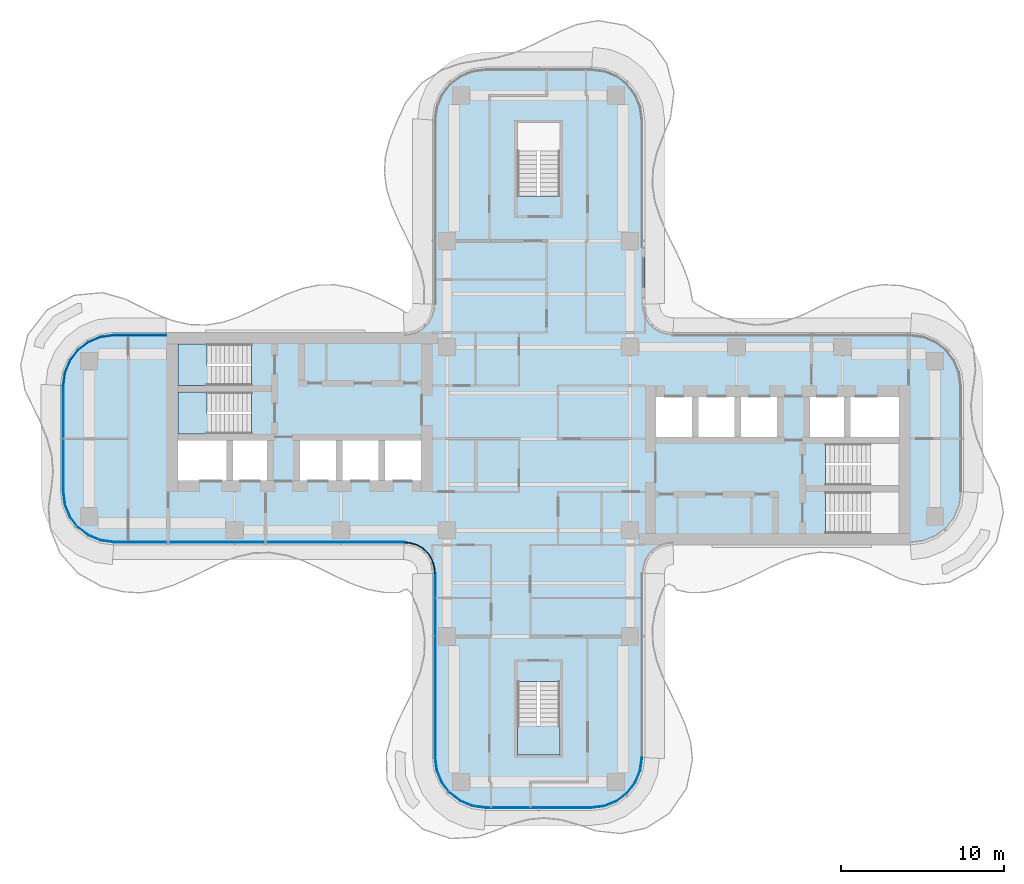
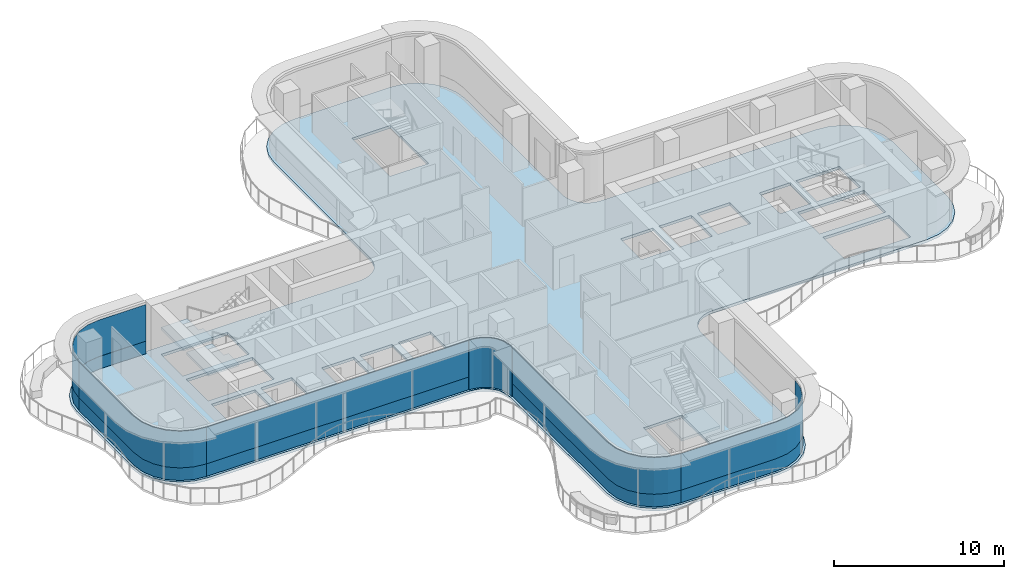
# One storey, part 8 of 16: 11 plates, 4 slabs, 9 elements without a shape of their own.
"""IFC4 building model written with IfcOpenShell, lengths in metres."""

from ifc_helpers import new_model, si_unit, direction, frame, origin, place, context, subcontext, project, spatial, polyline, outline, extrude, source, transform, mapped, material, layer, layer_set, type_object, element, aggregate, save


model = new_model("IFC4")

# Units and contexts
model_context = context("Model", 3, precision=1e-05, world=origin(), true_north=direction((0.0, 1.0)))
body_context = subcontext(model_context, "Body", "Model", "MODEL_VIEW")
ifc_project = project(units=[si_unit("LENGTHUNIT", "METRE"), si_unit("AREAUNIT", "SQUARE_METRE"), si_unit("VOLUMEUNIT", "CUBIC_METRE"), si_unit("PLANEANGLEUNIT", "RADIAN"), si_unit("MASSUNIT", "GRAM", prefix="KILO")], contexts=[model_context])

# Site, building, storey
site_placement = place(None, origin())
site = spatial("IfcSite", under=ifc_project, at=site_placement, CompositionType="ELEMENT")
building_placement = place(site_placement, origin())
building = spatial("IfcBuilding", under=site, at=building_placement, Name="Trellis Farm Tower", CompositionType="ELEMENT")
storey_placement = place(building_placement, frame((0.0, 0.0, 263.60009765625)))
storey = spatial("IfcBuildingStorey", under=building, at=storey_placement, Name="L59", CompositionType="ELEMENT", Elevation=263.60009765625)

# Slab
ifc_material_1 = material(Name="Concrete C40/50", Category="concrete")
ifc_layer_1 = layer(ifc_material_1, 0.199951171875)
ifc_layer_set_1 = layer_set([ifc_layer_1], Name="Composite deck floor slab 200")
slab_type_1 = type_object("IfcSlabType", Name="Composite deck floor slab 200", PredefinedType="FLOOR", material=ifc_layer_set_1)
shared_shape_1 = source(origin(), body_context, "Body", "SweptSolid", [
    extrude(outline(polyline([(-26.84130859375, -6.389404296875), (-27.625, -6.064697265625), (-28.298095703125, -5.548095703125), (-28.814697265625, -4.875), (-29.139404296875, -4.09130859375), (-29.25, -3.25), (-29.25, 3.25), (-29.139404296875, 4.09130859375), (-28.814697265625, 4.875), (-28.298095703125, 5.548095703125), (-27.625, 6.064697265625), (-26.84130859375, 6.389404296875), (-26.0, 6.5), (-8.2314453125, 6.5), (-8.01953125, 6.513916015625), (-7.91552734375, 6.527587890625), (-7.508544921875, 6.63671875), (-7.144287109375, 6.846923828125), (-6.846923828125, 7.144287109375), (-6.63671875, 7.508544921875), (-6.527587890625, 7.91552734375), (-6.513916015625, 8.01953125), (-6.5, 8.2314453125), (-6.5, 19.5), (-6.389404296875, 20.34130859375), (-6.064697265625, 21.125), (-5.548095703125, 21.798095703125), (-4.875, 22.314697265625), (-4.09130859375, 22.639404296875), (-3.25, 22.75), (3.25, 22.75), (4.09130859375, 22.639404296875), (4.875, 22.314697265625), (5.548095703125, 21.798095703125), (6.064697265625, 21.125), (6.389404296875, 20.34130859375), (6.5, 19.5), (6.5, 8.2314453125), (6.513916015625, 8.01953125), (6.527587890625, 7.91552734375), (6.63671875, 7.508544921875), (6.846923828125, 7.144287109375), (7.144287109375, 6.846923828125), (7.508544921875, 6.63671875), (7.91552734375, 6.527587890625), (8.01953125, 6.513916015625), (8.2314453125, 6.5), (22.75, 6.5), (23.59130859375, 6.389404296875), (24.375, 6.064697265625), (25.048095703125, 5.548095703125), (25.564697265625, 4.875), (25.889404296875, 4.09130859375), (26.0, 3.25), (26.0, -3.25), (25.889404296875, -4.09130859375), (25.564697265625, -4.875), (25.048095703125, -5.548095703125), (24.375, -6.064697265625), (23.59130859375, -6.389404296875), (22.75, -6.5), (8.2314453125, -6.5), (8.01953125, -6.513916015625), (7.91552734375, -6.527587890625), (7.508544921875, -6.63671875), (7.144287109375, -6.846923828125), (6.846923828125, -7.144287109375), (6.63671875, -7.508544921875), (6.527587890625, -7.91552734375), (6.513916015625, -8.01953125), (6.5, -8.2314453125), (6.5, -19.5), (6.389404296875, -20.34130859375), (6.064697265625, -21.125), (5.548095703125, -21.798095703125), (4.875, -22.314697265625), (4.09130859375, -22.639404296875), (3.25, -22.75), (-3.25, -22.75), (-4.09130859375, -22.639404296875), (-4.875, -22.314697265625), (-5.548095703125, -21.798095703125), (-6.064697265625, -21.125), (-6.389404296875, -20.34130859375), (-6.5, -19.5), (-6.5, -8.2314453125), (-6.513916015625, -8.01953125), (-6.527587890625, -7.91552734375), (-6.63671875, -7.508544921875), (-6.846923828125, -7.144287109375), (-7.144287109375, -6.846923828125), (-7.508544921875, -6.63671875), (-7.91552734375, -6.527587890625), (-8.01953125, -6.513916015625), (-8.2314453125, -6.5), (-26.0, -6.5), (-26.84130859375, -6.389404296875)]), holes=[polyline([(-22.050048828125, -0.10009765625), (-22.050048828125, -2.550048828125), (-19.10009765625, -2.550048828125), (-19.10009765625, -0.10009765625), (-22.050048828125, -0.10009765625)]), polyline([(-18.699951171875, -0.10009765625), (-18.699951171875, -2.550048828125), (-16.60009765625, -2.550048828125), (-16.60009765625, -0.10009765625), (-18.699951171875, -0.10009765625)]), polyline([(-14.60009765625, -0.10009765625), (-14.60009765625, -2.550048828125), (-12.39990234375, -2.550048828125), (-12.39990234375, -0.10009765625), (-14.60009765625, -0.10009765625)]), polyline([(-12.0, -0.10009765625), (-12.0, -2.550048828125), (-9.800048828125, -2.550048828125), (-9.800048828125, -0.10009765625), (-12.0, -0.10009765625)]), polyline([(-9.39990234375, -0.10009765625), (-9.39990234375, -2.550048828125), (-7.199951171875, -2.550048828125), (-7.199951171875, -0.10009765625), (-9.39990234375, -0.10009765625)]), polyline([(-17.56201171875, 1.64990234375), (-17.56201171875, 2.85009765625), (-22.050048828125, 2.85009765625), (-22.050048828125, 0.300048828125), (-17.56005859375, 0.300048828125), (-17.56005859375, 1.5), (-17.550048828125, 1.5), (-17.550048828125, 1.64990234375), (-17.56201171875, 1.64990234375)]), polyline([(-17.56201171875, 4.60009765625), (-17.56201171875, 5.800048828125), (-22.050048828125, 5.800048828125), (-22.050048828125, 3.25), (-17.56005859375, 3.25), (-17.56005859375, 4.449951171875), (-17.550048828125, 4.449951171875), (-17.550048828125, 4.60009765625), (-17.56201171875, 4.60009765625)]), polyline([(0.10009765625, 14.862060546875), (1.300048828125, 14.862060546875), (1.300048828125, 19.35009765625), (-1.300048828125, 19.35009765625), (-1.300048828125, 14.860107421875), (-0.10009765625, 14.860107421875), (-0.10009765625, 14.85009765625), (0.10009765625, 14.85009765625), (0.10009765625, 14.862060546875)]), polyline([(-0.10009765625, -14.862060546875), (-1.300048828125, -14.862060546875), (-1.300048828125, -19.35009765625), (1.300048828125, -19.35009765625), (1.300048828125, -14.860107421875), (0.10009765625, -14.860107421875), (0.10009765625, -14.85009765625), (-0.10009765625, -14.85009765625), (-0.10009765625, -14.862060546875)]), polyline([(17.56201171875, -4.60009765625), (17.56201171875, -5.800048828125), (22.050048828125, -5.800048828125), (22.050048828125, -3.25), (17.56005859375, -3.25), (17.56005859375, -4.449951171875), (17.550048828125, -4.449951171875), (17.550048828125, -4.60009765625), (17.56201171875, -4.60009765625)]), polyline([(17.56201171875, -1.64990234375), (17.56201171875, -2.85009765625), (22.050048828125, -2.85009765625), (22.050048828125, -0.300048828125), (17.56005859375, -0.300048828125), (17.56005859375, -1.5), (17.550048828125, -1.5), (17.550048828125, -1.64990234375), (17.56201171875, -1.64990234375)]), polyline([(9.39990234375, 0.10009765625), (9.39990234375, 2.550048828125), (7.199951171875, 2.550048828125), (7.199951171875, 0.10009765625), (9.39990234375, 0.10009765625)]), polyline([(12.0, 0.10009765625), (12.0, 2.550048828125), (9.800048828125, 2.550048828125), (9.800048828125, 0.10009765625), (12.0, 0.10009765625)]), polyline([(14.60009765625, 0.10009765625), (14.60009765625, 2.550048828125), (12.39990234375, 2.550048828125), (12.39990234375, 0.10009765625), (14.60009765625, 0.10009765625)]), polyline([(18.699951171875, 0.10009765625), (18.699951171875, 2.550048828125), (16.60009765625, 2.550048828125), (16.60009765625, 0.10009765625), (18.699951171875, 0.10009765625)]), polyline([(22.050048828125, 0.10009765625), (22.050048828125, 2.550048828125), (19.10009765625, 2.550048828125), (19.10009765625, 0.10009765625), (22.050048828125, 0.10009765625)])]), origin(), (0.0, 0.0, 1.0), 0.2001953125),
])
slab_1_placement = place(storey_placement, frame((0.0, 0.0, -0.2001953125)))
element("IfcSlab", 1, at=slab_1_placement, inside=storey, type_object=slab_type_1, Name="Floor slab", PredefinedType="FLOOR", context=body_context, shape_type="MappedRepresentation", body=[
    mapped(shared_shape_1, transform((0.0, 0.0, 0.0))),
])

# Stair, slab
ifc_material_2 = material(Name="Concrete C50/60", Category="concrete")
stair_type = type_object("IfcStairType", Name="CORE EXIT STAIR 22 RISERS 177 MM", PredefinedType="HALF_TURN_STAIR", material=ifc_material_2)
placement_1 = place(storey_placement, origin())
stair_1 = element("IfcStair", 2, at=placement_1, inside=storey, type_object=stair_type, Name="Exit stair S", PredefinedType="HALF_TURN_STAIR")
ifc_layer_2 = layer(ifc_material_2, 0.18994140625)
ifc_layer_set_2 = layer_set([ifc_layer_2], Name="CORE STAIR LANDING 190 CONCRETE C50/60")
slab_type_2 = type_object("IfcSlabType", Name="CORE STAIR LANDING 190 CONCRETE C50/60", PredefinedType="LANDING", material=ifc_layer_set_2)
shared_shape_2 = source(origin(), body_context, "Body", "SweptSolid", [
    extrude(outline(polyline([(1.300048828125, -19.35009765625), (-1.300048828125, -19.35009765625), (-1.300048828125, -17.60009765625), (-1.300048828125, -17.590087890625), (-0.10009765625, -17.590087890625), (-0.10009765625, -17.60009765625), (0.10009765625, -17.60009765625), (0.10009765625, -17.27197265625), (1.300048828125, -17.27197265625), (1.300048828125, -17.60009765625), (1.300048828125, -19.35009765625)])), origin(), (0.0, 0.0, 1.0), 0.18994140625),
])
placement_2 = place(storey_placement, frame((0.0, 0.0, 1.760009765625)))
slab_2 = element("IfcSlab", 3, at=placement_2, type_object=slab_type_2, Name="STS landing 1", PredefinedType="LANDING", context=body_context, shape_type="MappedRepresentation", body=[
    mapped(shared_shape_2, transform((0.0, 0.0, 0.0))),
])
aggregate(stair_1, [slab_2])

stair_2 = element("IfcStair", 4, at=placement_1, inside=storey, type_object=stair_type, Name="Exit stair W1", PredefinedType="HALF_TURN_STAIR")
shared_shape_3 = source(origin(), body_context, "Body", "SweptSolid", [
    extrude(outline(polyline([(-19.971923828125, 4.449951171875), (-19.971923828125, 3.25), (-20.300048828125, 3.25), (-22.050048828125, 3.25), (-22.050048828125, 5.800048828125), (-20.300048828125, 5.800048828125), (-20.2900390625, 5.800048828125), (-20.2900390625, 4.60009765625), (-20.300048828125, 4.60009765625), (-20.300048828125, 4.449951171875), (-19.971923828125, 4.449951171875)])), origin(), (0.0, 0.0, 1.0), 0.18994140625),
])
slab_3 = element("IfcSlab", 5, at=placement_2, type_object=slab_type_2, Name="STW1 landing 1", PredefinedType="LANDING", context=body_context, shape_type="MappedRepresentation", body=[
    mapped(shared_shape_3, transform((0.0, 0.0, 0.0))),
])
aggregate(stair_2, [slab_3])

stair_3 = element("IfcStair", 6, at=placement_1, inside=storey, type_object=stair_type, Name="Exit stair W2", PredefinedType="HALF_TURN_STAIR")
shared_shape_4 = source(origin(), body_context, "Body", "SweptSolid", [
    extrude(outline(polyline([(-19.971923828125, 1.5), (-19.971923828125, 0.300048828125), (-20.300048828125, 0.300048828125), (-22.050048828125, 0.300048828125), (-22.050048828125, 2.85009765625), (-20.300048828125, 2.85009765625), (-20.2900390625, 2.85009765625), (-20.2900390625, 1.64990234375), (-20.300048828125, 1.64990234375), (-20.300048828125, 1.5), (-19.971923828125, 1.5)])), origin(), (0.0, 0.0, 1.0), 0.18994140625),
])
slab_4 = element("IfcSlab", 7, at=placement_2, type_object=slab_type_2, Name="STW2 landing 1", PredefinedType="LANDING", context=body_context, shape_type="MappedRepresentation", body=[
    mapped(shared_shape_4, transform((0.0, 0.0, 0.0))),
])
aggregate(stair_3, [slab_4])

# Curtain wall, plates
ifc_material_3 = material(Name="Aluminium and glass curtain wall", Category="aluminium")
ifc_layer_3 = layer(ifc_material_3, 0.18994140625)
ifc_layer_set_3 = layer_set([ifc_layer_3], Name="RIBBON CURTAIN WALL CW1")
curtain_wall_type_1 = type_object("IfcCurtainWallType", Name="RIBBON CURTAIN WALL CW1", PredefinedType="NOTDEFINED", material=ifc_layer_set_3)
curtain_wall_1 = element("IfcCurtainWall", 8, at=placement_1, inside=storey, type_object=curtain_wall_type_1, Name="CW1 001", PredefinedType="NOTDEFINED")
ifc_material_4 = material(Name="Clear insulated glass", Category="glass")
ifc_layer_4 = layer(ifc_material_4, 0.0400390625)
ifc_layer_set_4 = layer_set([ifc_layer_4], Name="CW1 GLASS PANEL 40")
plate_type_1 = type_object("IfcPlateType", Name="CW1 GLASS PANEL 40", PredefinedType="CURTAIN_PANEL", material=ifc_layer_set_4)
shared_shape_5 = source(origin(), body_context, "Body", "SweptSolid", [
    extrude(outline(polyline([(-25.990234375, -6.35009765625), (-8.2265625, -6.35009765625), (-8.22509765625, -6.31005859375), (-25.987548828125, -6.31005859375), (-25.990234375, -6.35009765625)])), origin(), (0.0, 0.0, 1.0), 2.6201171875),
])
placement_3 = place(storey_placement, frame((0.0, 0.0, 0.89990234375)))
plate_1 = element("IfcPlate", 9, at=placement_3, type_object=plate_type_1, Name="PL1 001", PredefinedType="CURTAIN_PANEL", context=body_context, shape_type="MappedRepresentation", body=[
    mapped(shared_shape_5, transform((0.0, 0.0, 0.0))),
])
ifc_material_5 = material(Name="Sandstone faced insulated panel", Category="masonry")
ifc_layer_5 = layer(ifc_material_5, 0.050048828125)
ifc_layer_set_5 = layer_set([ifc_layer_5], Name="CW1 STONE SPANDREL PANEL 50")
plate_type_2 = type_object("IfcPlateType", Name="CW1 STONE SPANDREL PANEL 50", PredefinedType="CURTAIN_PANEL", material=ifc_layer_set_5)
shared_shape_6 = source(origin(), body_context, "Body", "SweptSolid", [
    extrude(outline(polyline([(-25.990234375, -6.35009765625), (-8.2265625, -6.35009765625), (-8.224853515625, -6.300048828125), (-25.98681640625, -6.300048828125), (-25.990234375, -6.35009765625)])), origin(), (0.0, 0.0, 1.0), 0.89990234375),
])
plate_2 = element("IfcPlate", 10, at=placement_1, type_object=plate_type_2, Name="PS1 001", PredefinedType="CURTAIN_PANEL", context=body_context, shape_type="MappedRepresentation", body=[
    mapped(shared_shape_6, transform((0.0, 0.0, 0.0))),
])
aggregate(curtain_wall_1, [plate_1, plate_2])

curtain_wall_2 = element("IfcCurtainWall", 11, at=placement_1, inside=storey, type_object=curtain_wall_type_1, Name="CW1 012", PredefinedType="NOTDEFINED")
shared_shape_7 = source(origin(), body_context, "Body", "SweptSolid", [
    extrude(outline(polyline([(-22.780029296875, 6.35009765625), (-25.990234375, 6.35009765625), (-26.802001953125, 6.2431640625), (-27.54931640625, 5.93359375), (-28.191162109375, 5.441162109375), (-28.68359375, 4.79931640625), (-28.9931640625, 4.052001953125), (-29.10009765625, 3.240234375), (-29.06005859375, 3.237548828125), (-28.9541015625, 4.04150390625), (-28.648681640625, 4.779296875), (-28.16259765625, 5.41259765625), (-27.529296875, 5.898681640625), (-26.79150390625, 6.2041015625), (-25.987548828125, 6.31005859375), (-22.780029296875, 6.31005859375), (-22.780029296875, 6.35009765625)])), origin(), (0.0, 0.0, 1.0), 2.6201171875),
])
plate_3 = element("IfcPlate", 12, at=placement_3, type_object=plate_type_1, Name="PL1 012", PredefinedType="CURTAIN_PANEL", context=body_context, shape_type="MappedRepresentation", body=[
    mapped(shared_shape_7, transform((0.0, 0.0, 0.0))),
])
shared_shape_8 = source(origin(), body_context, "Body", "SweptSolid", [
    extrude(outline(polyline([(-22.780029296875, 6.35009765625), (-25.990234375, 6.35009765625), (-26.802001953125, 6.2431640625), (-27.54931640625, 5.93359375), (-28.191162109375, 5.441162109375), (-28.68359375, 4.79931640625), (-28.9931640625, 4.052001953125), (-29.10009765625, 3.240234375), (-29.050048828125, 3.23681640625), (-28.9443359375, 4.0390625), (-28.639892578125, 4.774169921875), (-28.155517578125, 5.405517578125), (-27.524169921875, 5.889892578125), (-26.7890625, 6.1943359375), (-25.98681640625, 6.300048828125), (-22.780029296875, 6.300048828125), (-22.780029296875, 6.35009765625)])), origin(), (0.0, 0.0, 1.0), 0.89990234375),
])
plate_4 = element("IfcPlate", 13, at=placement_1, type_object=plate_type_2, Name="PS1 012", PredefinedType="CURTAIN_PANEL", context=body_context, shape_type="MappedRepresentation", body=[
    mapped(shared_shape_8, transform((0.0, 0.0, 0.0))),
])
aggregate(curtain_wall_2, [plate_3, plate_4])

curtain_wall_3 = element("IfcCurtainWall", 14, at=placement_1, inside=storey, type_object=curtain_wall_type_1, Name="CW1 013", PredefinedType="NOTDEFINED")
shared_shape_9 = source(origin(), body_context, "Body", "SweptSolid", [
    extrude(outline(polyline([(-29.10009765625, 3.240234375), (-29.10009765625, -3.240234375), (-28.9931640625, -4.052001953125), (-28.68359375, -4.79931640625), (-28.191162109375, -5.441162109375), (-27.54931640625, -5.93359375), (-26.802001953125, -6.2431640625), (-25.990234375, -6.35009765625), (-25.987548828125, -6.31005859375), (-26.79150390625, -6.2041015625), (-27.529296875, -5.898681640625), (-28.16259765625, -5.41259765625), (-28.648681640625, -4.779296875), (-28.9541015625, -4.04150390625), (-29.06005859375, -3.237548828125), (-29.06005859375, 3.237548828125), (-29.10009765625, 3.240234375)])), origin(), (0.0, 0.0, 1.0), 2.6201171875),
])
plate_5 = element("IfcPlate", 15, at=placement_3, type_object=plate_type_1, Name="PL1 013", PredefinedType="CURTAIN_PANEL", context=body_context, shape_type="MappedRepresentation", body=[
    mapped(shared_shape_9, transform((0.0, 0.0, 0.0))),
])
shared_shape_10 = source(origin(), body_context, "Body", "SweptSolid", [
    extrude(outline(polyline([(-29.10009765625, 3.240234375), (-29.10009765625, -3.240234375), (-28.9931640625, -4.052001953125), (-28.68359375, -4.79931640625), (-28.191162109375, -5.441162109375), (-27.54931640625, -5.93359375), (-26.802001953125, -6.2431640625), (-25.990234375, -6.35009765625), (-25.98681640625, -6.300048828125), (-26.7890625, -6.1943359375), (-27.524169921875, -5.889892578125), (-28.155517578125, -5.405517578125), (-28.639892578125, -4.774169921875), (-28.9443359375, -4.0390625), (-29.050048828125, -3.23681640625), (-29.050048828125, 3.23681640625), (-29.10009765625, 3.240234375)])), origin(), (0.0, 0.0, 1.0), 0.89990234375),
])
plate_6 = element("IfcPlate", 16, at=placement_1, type_object=plate_type_2, Name="PS1 013", PredefinedType="CURTAIN_PANEL", context=body_context, shape_type="MappedRepresentation", body=[
    mapped(shared_shape_10, transform((0.0, 0.0, 0.0))),
])
aggregate(curtain_wall_3, [plate_5, plate_6])

# Curtain wall, plate
ifc_layer_6 = layer(ifc_material_3, 0.166015625)
ifc_layer_set_6 = layer_set([ifc_layer_6], Name="WINTER GARDEN CURTAIN WALL CW3")
curtain_wall_type_2 = type_object("IfcCurtainWallType", Name="WINTER GARDEN CURTAIN WALL CW3", PredefinedType="NOTDEFINED", material=ifc_layer_set_6)
curtain_wall_4 = element("IfcCurtainWall", 17, at=placement_1, inside=storey, type_object=curtain_wall_type_2, Name="CW3 001", PredefinedType="NOTDEFINED")
ifc_layer_7 = layer(ifc_material_4, 0.0458984375)
ifc_layer_set_7 = layer_set([ifc_layer_7], Name="CW3 GLASS PANEL 46")
plate_type_3 = type_object("IfcPlateType", Name="CW3 GLASS PANEL 46", PredefinedType="CURTAIN_PANEL", material=ifc_layer_set_7)
shared_shape_11 = source(origin(), body_context, "Body", "SweptSolid", [
    extrude(outline(polyline([(-8.2275390625, -6.3798828125), (-8.0078125, -6.394287109375), (-7.89208984375, -6.40966796875), (-7.462158203125, -6.52490234375), (-7.070556640625, -6.7509765625), (-6.7509765625, -7.070556640625), (-6.52490234375, -7.462158203125), (-6.40966796875, -7.89208984375), (-6.394287109375, -8.0078125), (-6.3798828125, -8.2275390625), (-6.333984375, -8.22607421875), (-6.3486328125, -8.003173828125), (-6.364501953125, -7.883056640625), (-6.48193359375, -7.4443359375), (-6.714111328125, -7.04248046875), (-7.04248046875, -6.714111328125), (-7.4443359375, -6.48193359375), (-7.883056640625, -6.364501953125), (-8.003173828125, -6.3486328125), (-8.22607421875, -6.333984375), (-8.2275390625, -6.3798828125)])), origin(), (0.0, 0.0, 1.0), 3.5498046875),
])
plate_7 = element("IfcPlate", 18, at=placement_1, type_object=plate_type_3, Name="PL3 001", PredefinedType="CURTAIN_PANEL", context=body_context, shape_type="MappedRepresentation", body=[
    mapped(shared_shape_11, transform((0.0, 0.0, 0.0))),
])
aggregate(curtain_wall_4, [plate_7])

# Curtain wall, plates
curtain_wall_5 = element("IfcCurtainWall", 19, at=placement_1, inside=storey, type_object=curtain_wall_type_1, Name="CW1 002", PredefinedType="NOTDEFINED")
shared_shape_12 = source(origin(), body_context, "Body", "SweptSolid", [
    extrude(outline(polyline([(-6.35009765625, -8.2265625), (-6.35009765625, -19.490234375), (-6.2431640625, -20.302001953125), (-5.93359375, -21.04931640625), (-5.441162109375, -21.691162109375), (-4.79931640625, -22.18359375), (-4.052001953125, -22.4931640625), (-3.240234375, -22.60009765625), (-3.237548828125, -22.56005859375), (-4.04150390625, -22.4541015625), (-4.779296875, -22.148681640625), (-5.41259765625, -21.66259765625), (-5.898681640625, -21.029296875), (-6.2041015625, -20.29150390625), (-6.31005859375, -19.487548828125), (-6.31005859375, -8.22509765625), (-6.35009765625, -8.2265625)])), origin(), (0.0, 0.0, 1.0), 2.6201171875),
])
plate_8 = element("IfcPlate", 20, at=placement_3, type_object=plate_type_1, Name="PL1 002", PredefinedType="CURTAIN_PANEL", context=body_context, shape_type="MappedRepresentation", body=[
    mapped(shared_shape_12, transform((0.0, 0.0, 0.0))),
])
shared_shape_13 = source(origin(), body_context, "Body", "SweptSolid", [
    extrude(outline(polyline([(-6.35009765625, -8.2265625), (-6.35009765625, -19.490234375), (-6.2431640625, -20.302001953125), (-5.93359375, -21.04931640625), (-5.441162109375, -21.691162109375), (-4.79931640625, -22.18359375), (-4.052001953125, -22.4931640625), (-3.240234375, -22.60009765625), (-3.23681640625, -22.550048828125), (-4.0390625, -22.4443359375), (-4.774169921875, -22.139892578125), (-5.405517578125, -21.655517578125), (-5.889892578125, -21.024169921875), (-6.1943359375, -20.2890625), (-6.300048828125, -19.48681640625), (-6.300048828125, -8.224853515625), (-6.35009765625, -8.2265625)])), origin(), (0.0, 0.0, 1.0), 0.89990234375),
])
plate_9 = element("IfcPlate", 21, at=placement_1, type_object=plate_type_2, Name="PS1 002", PredefinedType="CURTAIN_PANEL", context=body_context, shape_type="MappedRepresentation", body=[
    mapped(shared_shape_13, transform((0.0, 0.0, 0.0))),
])
aggregate(curtain_wall_5, [plate_8, plate_9])

curtain_wall_6 = element("IfcCurtainWall", 22, at=placement_1, inside=storey, type_object=curtain_wall_type_1, Name="CW1 003", PredefinedType="NOTDEFINED")
shared_shape_14 = source(origin(), body_context, "Body", "SweptSolid", [
    extrude(outline(polyline([(-3.240234375, -22.60009765625), (3.240234375, -22.60009765625), (4.052001953125, -22.4931640625), (4.79931640625, -22.18359375), (5.441162109375, -21.691162109375), (5.93359375, -21.04931640625), (6.2431640625, -20.302001953125), (6.35009765625, -19.490234375), (6.31005859375, -19.487548828125), (6.2041015625, -20.29150390625), (5.898681640625, -21.029296875), (5.41259765625, -21.66259765625), (4.779296875, -22.148681640625), (4.04150390625, -22.4541015625), (3.237548828125, -22.56005859375), (-3.237548828125, -22.56005859375), (-3.240234375, -22.60009765625)])), origin(), (0.0, 0.0, 1.0), 2.6201171875),
])
plate_10 = element("IfcPlate", 23, at=placement_3, type_object=plate_type_1, Name="PL1 003", PredefinedType="CURTAIN_PANEL", context=body_context, shape_type="MappedRepresentation", body=[
    mapped(shared_shape_14, transform((0.0, 0.0, 0.0))),
])
shared_shape_15 = source(origin(), body_context, "Body", "SweptSolid", [
    extrude(outline(polyline([(-3.240234375, -22.60009765625), (3.240234375, -22.60009765625), (4.052001953125, -22.4931640625), (4.79931640625, -22.18359375), (5.441162109375, -21.691162109375), (5.93359375, -21.04931640625), (6.2431640625, -20.302001953125), (6.35009765625, -19.490234375), (6.300048828125, -19.48681640625), (6.1943359375, -20.2890625), (5.889892578125, -21.024169921875), (5.405517578125, -21.655517578125), (4.774169921875, -22.139892578125), (4.0390625, -22.4443359375), (3.23681640625, -22.550048828125), (-3.23681640625, -22.550048828125), (-3.240234375, -22.60009765625)])), origin(), (0.0, 0.0, 1.0), 0.89990234375),
])
plate_11 = element("IfcPlate", 24, at=placement_1, type_object=plate_type_2, Name="PS1 003", PredefinedType="CURTAIN_PANEL", context=body_context, shape_type="MappedRepresentation", body=[
    mapped(shared_shape_15, transform((0.0, 0.0, 0.0))),
])
aggregate(curtain_wall_6, [plate_10, plate_11])

save(model, "model.ifc")
